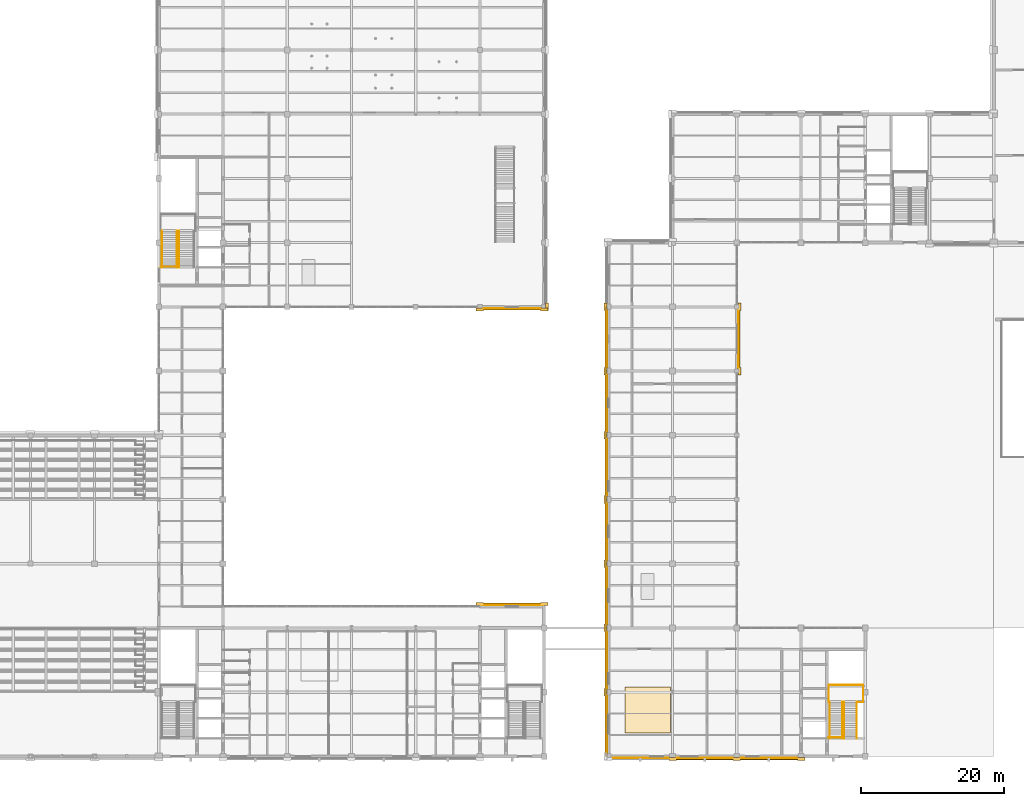
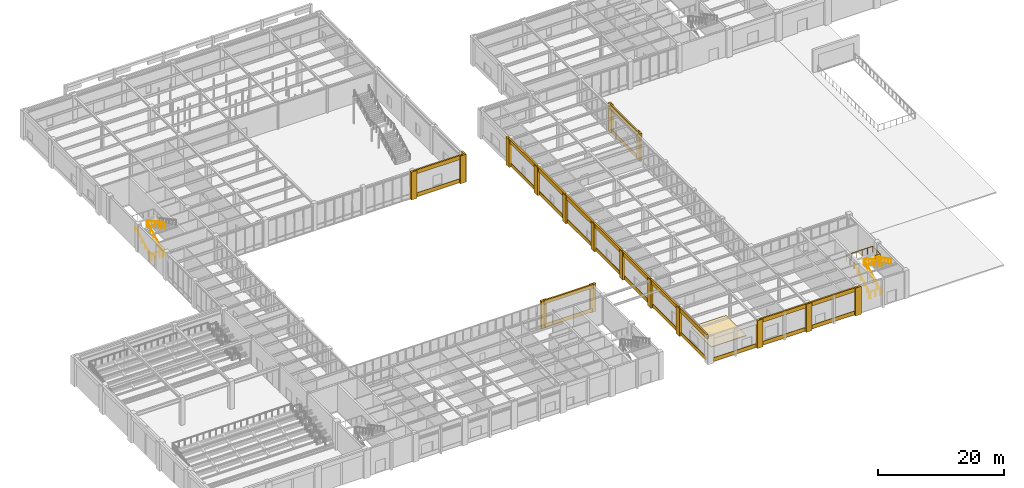
# One storey, part 74 of 77: 43 coverings, 8 railings.
"""IFC4 building model written with IfcOpenShell, lengths in metres."""

from ifc_helpers import new_model, si_unit, direction, frame, origin, origin_2d, place, context, subcontext, project, spatial, rectangle, circle, extrude, material, layer, layer_set, type_object, element, save


model = new_model("IFC4")

# Units and contexts
model_context = context("Model", 3, precision=1e-05, world=origin(), true_north=direction((0.0, 1.0)))
body_context = subcontext(model_context, "Body", "Model", "MODEL_VIEW")
ifc_project = project(units=[si_unit("LENGTHUNIT", "METRE"), si_unit("AREAUNIT", "SQUARE_METRE"), si_unit("VOLUMEUNIT", "CUBIC_METRE"), si_unit("PLANEANGLEUNIT", "RADIAN"), si_unit("MASSUNIT", "GRAM", prefix="KILO")], contexts=[model_context])

# Site, building, storey
site_placement = place(None, origin())
site = spatial("IfcSite", under=ifc_project, at=site_placement, CompositionType="ELEMENT")
building_placement = place(site_placement, origin())
building = spatial("IfcBuilding", under=site, at=building_placement, Name="Lykobir Media Centre", CompositionType="ELEMENT")
storey_placement = place(building_placement, origin())
storey = spatial("IfcBuildingStorey", under=building, at=storey_placement, Name="L00", CompositionType="ELEMENT", Elevation=0.0)

# Coverings
ifc_material_1 = material(Name="Honed Travertine Stone", Category="masonry")
ifc_layer_1 = layer(ifc_material_1, 0.050048828125, Name="Honed Travertine Stone")
ifc_layer_set_1 = layer_set([ifc_layer_1], Name="Honed Travertine Stone")
covering_type_1 = type_object("IfcCoveringType", Name="CLD-TRAV", PredefinedType="CLADDING", material=ifc_layer_set_1)
for number, where, z_axis, x_axis, name in (
    (1, (89.6201171875, 27.0, 0.0), (0.0, 0.0, 1.0), (0.0, -1.0, 0.0), "Travertine column pier 50"),
    (2, (89.6201171875, 18.0, 0.0), (0.0, 0.0, 1.0), (0.0, -1.0, 0.0), "Travertine column pier 51"),
):
    element("IfcCovering", number, at=place(storey_placement, frame(where, z_axis=z_axis, x_axis=x_axis)), inside=storey, type_object=covering_type_1, Name=name, PredefinedType="CLADDING", context=body_context, shape_type="SweptSolid", body=[
        extrude(rectangle(XDim=1.06005859375, YDim=0.39990234375, at=origin_2d()), origin(), (0.0, 0.0, 1.0), 5.39990234375),
    ])
covering_1_placement = place(storey_placement, frame((89.699951171875, 22.5, 4.64013671875), z_axis=(0.0, 0.0, 1.0), x_axis=(0.0, -1.0, 0.0)))
element("IfcCovering", 3, at=covering_1_placement, inside=storey, type_object=covering_type_1, Name="Travertine spandrel stringcourse 52", PredefinedType="CLADDING", context=body_context, shape_type="SweptSolid", body=[
    extrude(rectangle(XDim=9.0, YDim=0.280029296875, at=origin_2d()), origin(), (0.0, 0.0, 1.0), 0.760009765625),
])
covering_2_placement = place(storey_placement, frame((89.76904296875, 22.5, 0.080078125), z_axis=(0.0, 0.0, 1.0), x_axis=(0.0, -1.0, 0.0)))
element("IfcCovering", 4, at=covering_2_placement, inside=storey, type_object=covering_type_1, Name="Facade spandrel apron 53", PredefinedType="CLADDING", context=body_context, shape_type="SweptSolid", body=[
    extrude(rectangle(XDim=7.830078125, YDim=0.110107421875, at=origin_2d()), origin(), (0.0, 0.0, 1.0), 0.719970703125),
])
covering_3_placement = place(storey_placement, frame((89.6201171875, 36.0, 0.0), z_axis=(0.0, 0.0, 1.0), x_axis=(0.0, -1.0, 0.0)))
element("IfcCovering", 5, at=covering_3_placement, inside=storey, type_object=covering_type_1, Name="Travertine column pier 54", PredefinedType="CLADDING", context=body_context, shape_type="SweptSolid", body=[
    extrude(rectangle(XDim=1.06005859375, YDim=0.39990234375, at=origin_2d()), origin(), (0.0, 0.0, 1.0), 5.39990234375),
])
covering_4_placement = place(storey_placement, frame((89.699951171875, 31.5, 4.64013671875), z_axis=(0.0, 0.0, 1.0), x_axis=(0.0, -1.0, 0.0)))
element("IfcCovering", 6, at=covering_4_placement, inside=storey, type_object=covering_type_1, Name="Travertine spandrel stringcourse 55", PredefinedType="CLADDING", context=body_context, shape_type="SweptSolid", body=[
    extrude(rectangle(XDim=9.0, YDim=0.280029296875, at=origin_2d()), origin(), (0.0, 0.0, 1.0), 0.760009765625),
])
covering_5_placement = place(storey_placement, frame((89.76904296875, 31.5, 0.080078125), z_axis=(0.0, 0.0, 1.0), x_axis=(0.0, -1.0, 0.0)))
element("IfcCovering", 7, at=covering_5_placement, inside=storey, type_object=covering_type_1, Name="Facade spandrel apron 56", PredefinedType="CLADDING", context=body_context, shape_type="SweptSolid", body=[
    extrude(rectangle(XDim=7.830078125, YDim=0.110107421875, at=origin_2d()), origin(), (0.0, 0.0, 1.0), 0.719970703125),
])
covering_6_placement = place(storey_placement, frame((89.6201171875, 45.0, 0.0), z_axis=(0.0, 0.0, 1.0), x_axis=(0.0, -1.0, 0.0)))
element("IfcCovering", 8, at=covering_6_placement, inside=storey, type_object=covering_type_1, Name="Travertine column pier 57", PredefinedType="CLADDING", context=body_context, shape_type="SweptSolid", body=[
    extrude(rectangle(XDim=1.06005859375, YDim=0.39990234375, at=origin_2d()), origin(), (0.0, 0.0, 1.0), 5.39990234375),
])
covering_7_placement = place(storey_placement, frame((89.699951171875, 40.5, 4.64013671875), z_axis=(0.0, 0.0, 1.0), x_axis=(0.0, -1.0, 0.0)))
element("IfcCovering", 9, at=covering_7_placement, inside=storey, type_object=covering_type_1, Name="Travertine spandrel stringcourse 58", PredefinedType="CLADDING", context=body_context, shape_type="SweptSolid", body=[
    extrude(rectangle(XDim=9.0, YDim=0.280029296875, at=origin_2d()), origin(), (0.0, 0.0, 1.0), 0.760009765625),
])
covering_8_placement = place(storey_placement, frame((89.76904296875, 40.5, 0.080078125), z_axis=(0.0, 0.0, 1.0), x_axis=(0.0, -1.0, 0.0)))
element("IfcCovering", 10, at=covering_8_placement, inside=storey, type_object=covering_type_1, Name="Facade spandrel apron 59", PredefinedType="CLADDING", context=body_context, shape_type="SweptSolid", body=[
    extrude(rectangle(XDim=7.830078125, YDim=0.110107421875, at=origin_2d()), origin(), (0.0, 0.0, 1.0), 0.719970703125),
])
covering_9_placement = place(storey_placement, frame((89.6201171875, 54.0, 0.0), z_axis=(0.0, 0.0, 1.0), x_axis=(0.0, -1.0, 0.0)))
element("IfcCovering", 11, at=covering_9_placement, inside=storey, type_object=covering_type_1, Name="Travertine column pier 60", PredefinedType="CLADDING", context=body_context, shape_type="SweptSolid", body=[
    extrude(rectangle(XDim=1.06005859375, YDim=0.39990234375, at=origin_2d()), origin(), (0.0, 0.0, 1.0), 5.39990234375),
])
covering_10_placement = place(storey_placement, frame((89.699951171875, 49.5, 4.64013671875), z_axis=(0.0, 0.0, 1.0), x_axis=(0.0, -1.0, 0.0)))
element("IfcCovering", 12, at=covering_10_placement, inside=storey, type_object=covering_type_1, Name="Travertine spandrel stringcourse 61", PredefinedType="CLADDING", context=body_context, shape_type="SweptSolid", body=[
    extrude(rectangle(XDim=9.0, YDim=0.280029296875, at=origin_2d()), origin(), (0.0, 0.0, 1.0), 0.760009765625),
])
covering_11_placement = place(storey_placement, frame((89.76904296875, 49.5, 0.080078125), z_axis=(0.0, 0.0, 1.0), x_axis=(0.0, -1.0, 0.0)))
element("IfcCovering", 13, at=covering_11_placement, inside=storey, type_object=covering_type_1, Name="Facade spandrel apron 62", PredefinedType="CLADDING", context=body_context, shape_type="SweptSolid", body=[
    extrude(rectangle(XDim=7.830078125, YDim=0.110107421875, at=origin_2d()), origin(), (0.0, 0.0, 1.0), 0.719970703125),
])
covering_12_placement = place(storey_placement, frame((89.6201171875, 63.0, 0.0), z_axis=(0.0, 0.0, 1.0), x_axis=(0.0, -1.0, 0.0)))
element("IfcCovering", 14, at=covering_12_placement, inside=storey, type_object=covering_type_1, Name="Travertine column pier 63", PredefinedType="CLADDING", context=body_context, shape_type="SweptSolid", body=[
    extrude(rectangle(XDim=1.06005859375, YDim=0.39990234375, at=origin_2d()), origin(), (0.0, 0.0, 1.0), 5.39990234375),
])
covering_13_placement = place(storey_placement, frame((89.699951171875, 58.5, 4.64013671875), z_axis=(0.0, 0.0, 1.0), x_axis=(0.0, -1.0, 0.0)))
element("IfcCovering", 15, at=covering_13_placement, inside=storey, type_object=covering_type_1, Name="Travertine spandrel stringcourse 64", PredefinedType="CLADDING", context=body_context, shape_type="SweptSolid", body=[
    extrude(rectangle(XDim=9.0, YDim=0.280029296875, at=origin_2d()), origin(), (0.0, 0.0, 1.0), 0.760009765625),
])
covering_14_placement = place(storey_placement, frame((89.76904296875, 58.5, 0.080078125), z_axis=(0.0, 0.0, 1.0), x_axis=(0.0, -1.0, 0.0)))
element("IfcCovering", 16, at=covering_14_placement, inside=storey, type_object=covering_type_1, Name="Facade spandrel apron 65", PredefinedType="CLADDING", context=body_context, shape_type="SweptSolid", body=[
    extrude(rectangle(XDim=7.830078125, YDim=0.110107421875, at=origin_2d()), origin(), (0.0, 0.0, 1.0), 0.719970703125),
])
covering_15_placement = place(storey_placement, frame((89.6201171875, 9.0, 0.0), z_axis=(0.0, 0.0, 1.0), x_axis=(0.0, -1.0, 0.0)))
element("IfcCovering", 17, at=covering_15_placement, inside=storey, type_object=covering_type_1, Name="Travertine column pier 69", PredefinedType="CLADDING", context=body_context, shape_type="SweptSolid", body=[
    extrude(rectangle(XDim=1.06005859375, YDim=0.39990234375, at=origin_2d()), origin(), (0.0, 0.0, 1.0), 5.39990234375),
])
covering_16_placement = place(storey_placement, frame((89.699951171875, 4.5, 4.64013671875), z_axis=(0.0, 0.0, 1.0), x_axis=(0.0, -1.0, 0.0)))
element("IfcCovering", 18, at=covering_16_placement, inside=storey, type_object=covering_type_1, Name="Travertine spandrel stringcourse 71", PredefinedType="CLADDING", context=body_context, shape_type="SweptSolid", body=[
    extrude(rectangle(XDim=9.0, YDim=0.280029296875, at=origin_2d()), origin(), (0.0, 0.0, 1.0), 0.760009765625),
])
covering_17_placement = place(storey_placement, frame((89.76904296875, 4.5, 0.080078125), z_axis=(0.0, 0.0, 1.0), x_axis=(0.0, -1.0, 0.0)))
element("IfcCovering", 19, at=covering_17_placement, inside=storey, type_object=covering_type_1, Name="Facade spandrel apron 72", PredefinedType="CLADDING", context=body_context, shape_type="SweptSolid", body=[
    extrude(rectangle(XDim=7.830078125, YDim=0.110107421875, at=origin_2d()), origin(), (0.0, 0.0, 1.0), 0.719970703125),
])
covering_18_placement = place(storey_placement, frame((89.699951171875, 13.5, 4.64013671875), z_axis=(0.0, 0.0, 1.0), x_axis=(0.0, -1.0, 0.0)))
element("IfcCovering", 20, at=covering_18_placement, inside=storey, type_object=covering_type_1, Name="Travertine spandrel stringcourse 73", PredefinedType="CLADDING", context=body_context, shape_type="SweptSolid", body=[
    extrude(rectangle(XDim=9.0, YDim=0.280029296875, at=origin_2d()), origin(), (0.0, 0.0, 1.0), 0.760009765625),
])
covering_19_placement = place(storey_placement, frame((89.76904296875, 13.5, 0.080078125), z_axis=(0.0, 0.0, 1.0), x_axis=(0.0, -1.0, 0.0)))
element("IfcCovering", 21, at=covering_19_placement, inside=storey, type_object=covering_type_1, Name="Facade spandrel apron 74", PredefinedType="CLADDING", context=body_context, shape_type="SweptSolid", body=[
    extrude(rectangle(XDim=7.830078125, YDim=0.110107421875, at=origin_2d()), origin(), (0.0, 0.0, 1.0), 0.719970703125),
])
covering_20_placement = place(storey_placement, frame((99.0, -0.3798828125, 0.0), z_axis=(0.0, 0.0, 1.0), x_axis=(1.0, 0.0, 0.0)))
element("IfcCovering", 22, at=covering_20_placement, inside=storey, type_object=covering_type_1, Name="Travertine column pier 76", PredefinedType="CLADDING", context=body_context, shape_type="SweptSolid", body=[
    extrude(rectangle(XDim=1.06005859375, YDim=0.39990234375, at=origin_2d()), origin(), (0.0, 0.0, 1.0), 5.39990234375),
])
covering_21_placement = place(storey_placement, frame((94.5, -0.23095703125, 0.080078125), z_axis=(0.0, 0.0, 1.0), x_axis=(1.0, 0.0, 0.0)))
element("IfcCovering", 23, at=covering_21_placement, inside=storey, type_object=covering_type_1, Name="Facade spandrel apron 78", PredefinedType="CLADDING", context=body_context, shape_type="SweptSolid", body=[
    extrude(rectangle(XDim=7.830078125, YDim=0.110107421875, at=origin_2d()), origin(), (0.0, 0.0, 1.0), 0.719970703125),
])
covering_22_placement = place(storey_placement, frame((108.0, -0.3798828125, 0.0), z_axis=(0.0, 0.0, 1.0), x_axis=(1.0, 0.0, 0.0)))
element("IfcCovering", 24, at=covering_22_placement, inside=storey, type_object=covering_type_1, Name="Travertine column pier 79", PredefinedType="CLADDING", context=body_context, shape_type="SweptSolid", body=[
    extrude(rectangle(XDim=1.06005859375, YDim=0.39990234375, at=origin_2d()), origin(), (0.0, 0.0, 1.0), 5.39990234375),
])
covering_23_placement = place(storey_placement, frame((103.5, -0.300048828125, 4.64013671875), z_axis=(0.0, 0.0, 1.0), x_axis=(1.0, 0.0, 0.0)))
element("IfcCovering", 25, at=covering_23_placement, inside=storey, type_object=covering_type_1, Name="Travertine spandrel stringcourse 80", PredefinedType="CLADDING", context=body_context, shape_type="SweptSolid", body=[
    extrude(rectangle(XDim=9.0, YDim=0.280029296875, at=origin_2d()), origin(), (0.0, 0.0, 1.0), 0.760009765625),
])
covering_24_placement = place(storey_placement, frame((103.5, -0.23095703125, 0.080078125), z_axis=(0.0, 0.0, 1.0), x_axis=(1.0, 0.0, 0.0)))
element("IfcCovering", 26, at=covering_24_placement, inside=storey, type_object=covering_type_1, Name="Facade spandrel apron 81", PredefinedType="CLADDING", context=body_context, shape_type="SweptSolid", body=[
    extrude(rectangle(XDim=7.830078125, YDim=0.110107421875, at=origin_2d()), origin(), (0.0, 0.0, 1.0), 0.719970703125),
])
covering_25_placement = place(storey_placement, frame((117.0, -0.3798828125, 0.0), z_axis=(0.0, 0.0, 1.0), x_axis=(1.0, 0.0, 0.0)))
element("IfcCovering", 27, at=covering_25_placement, inside=storey, type_object=covering_type_1, Name="Travertine column pier 82", PredefinedType="CLADDING", context=body_context, shape_type="SweptSolid", body=[
    extrude(rectangle(XDim=1.06005859375, YDim=0.39990234375, at=origin_2d()), origin(), (0.0, 0.0, 1.0), 5.39990234375),
])
covering_26_placement = place(storey_placement, frame((112.5, -0.300048828125, 4.64013671875), z_axis=(0.0, 0.0, 1.0), x_axis=(1.0, 0.0, 0.0)))
element("IfcCovering", 28, at=covering_26_placement, inside=storey, type_object=covering_type_1, Name="Travertine spandrel stringcourse 83", PredefinedType="CLADDING", context=body_context, shape_type="SweptSolid", body=[
    extrude(rectangle(XDim=9.0, YDim=0.280029296875, at=origin_2d()), origin(), (0.0, 0.0, 1.0), 0.760009765625),
])
covering_27_placement = place(storey_placement, frame((112.5, -0.23095703125, 0.080078125), z_axis=(0.0, 0.0, 1.0), x_axis=(1.0, 0.0, 0.0)))
element("IfcCovering", 29, at=covering_27_placement, inside=storey, type_object=covering_type_1, Name="Facade spandrel apron 84", PredefinedType="CLADDING", context=body_context, shape_type="SweptSolid", body=[
    extrude(rectangle(XDim=7.830078125, YDim=0.110107421875, at=origin_2d()), origin(), (0.0, 0.0, 1.0), 0.719970703125),
])
for number, where, z_axis, x_axis, name in (
    (30, (108.3798828125, 54.0, 0.0), (0.0, 0.0, 1.0), (0.0, 1.0, 0.0), "Travertine column pier 85"),
    (31, (108.3798828125, 63.0, 0.0), (0.0, 0.0, 1.0), (0.0, 1.0, 0.0), "Travertine column pier 86"),
):
    element("IfcCovering", number, at=place(storey_placement, frame(where, z_axis=z_axis, x_axis=x_axis)), inside=storey, type_object=covering_type_1, Name=name, PredefinedType="CLADDING", context=body_context, shape_type="SweptSolid", body=[
        extrude(rectangle(XDim=1.06005859375, YDim=0.39990234375, at=origin_2d()), origin(), (0.0, 0.0, 1.0), 5.39990234375),
    ])
covering_28_placement = place(storey_placement, frame((108.300048828125, 58.5, 4.64013671875), z_axis=(0.0, 0.0, 1.0), x_axis=(0.0, 1.0, 0.0)))
element("IfcCovering", 32, at=covering_28_placement, inside=storey, type_object=covering_type_1, Name="Travertine spandrel stringcourse 87", PredefinedType="CLADDING", context=body_context, shape_type="SweptSolid", body=[
    extrude(rectangle(XDim=9.0, YDim=0.280029296875, at=origin_2d()), origin(), (0.0, 0.0, 1.0), 0.760009765625),
])
covering_29_placement = place(storey_placement, frame((108.23095703125, 58.5, 0.080078125), z_axis=(0.0, 0.0, 1.0), x_axis=(0.0, 1.0, 0.0)))
element("IfcCovering", 33, at=covering_29_placement, inside=storey, type_object=covering_type_1, Name="Facade spandrel apron 88", PredefinedType="CLADDING", context=body_context, shape_type="SweptSolid", body=[
    extrude(rectangle(XDim=8.030029296875, YDim=0.110107421875, at=origin_2d()), origin(), (0.0, 0.0, 1.0), 0.719970703125),
])
for number, where, z_axis, x_axis, name in (
    (34, (81.0, 21.3798828125, 0.0), (0.0, 0.0, 1.0), (-1.0, 0.0, 0.0), "Travertine column pier 92"),
    (35, (72.0, 21.3798828125, 0.0), (0.0, 0.0, 1.0), (-1.0, 0.0, 0.0), "Travertine column pier 93"),
):
    element("IfcCovering", number, at=place(storey_placement, frame(where, z_axis=z_axis, x_axis=x_axis)), inside=storey, type_object=covering_type_1, Name=name, PredefinedType="CLADDING", context=body_context, shape_type="SweptSolid", body=[
        extrude(rectangle(XDim=1.06005859375, YDim=0.39990234375, at=origin_2d()), origin(), (0.0, 0.0, 1.0), 5.39990234375),
    ])
covering_30_placement = place(storey_placement, frame((76.5, 21.300048828125, 4.64013671875), z_axis=(0.0, 0.0, 1.0), x_axis=(-1.0, 0.0, 0.0)))
element("IfcCovering", 36, at=covering_30_placement, inside=storey, type_object=covering_type_1, Name="Travertine spandrel stringcourse 94", PredefinedType="CLADDING", context=body_context, shape_type="SweptSolid", body=[
    extrude(rectangle(XDim=9.0, YDim=0.280029296875, at=origin_2d()), origin(), (0.0, 0.0, 1.0), 0.760009765625),
])
covering_31_placement = place(storey_placement, frame((76.5, 21.23095703125, 0.080078125), z_axis=(0.0, 0.0, 1.0), x_axis=(-1.0, 0.0, 0.0)))
element("IfcCovering", 37, at=covering_31_placement, inside=storey, type_object=covering_type_1, Name="Facade spandrel apron 95", PredefinedType="CLADDING", context=body_context, shape_type="SweptSolid", body=[
    extrude(rectangle(XDim=8.75, YDim=0.110107421875, at=origin_2d()), origin(), (0.0, 0.0, 1.0), 0.719970703125),
])
for number, where, z_axis, x_axis, name in (
    (38, (72.0, 62.6201171875, 0.0), (0.0, 0.0, 1.0), (1.0, 0.0, 0.0), "Travertine column pier 96"),
    (39, (81.0, 62.6201171875, 0.0), (0.0, 0.0, 1.0), (1.0, 0.0, 0.0), "Travertine column pier 97"),
):
    element("IfcCovering", number, at=place(storey_placement, frame(where, z_axis=z_axis, x_axis=x_axis)), inside=storey, type_object=covering_type_1, Name=name, PredefinedType="CLADDING", context=body_context, shape_type="SweptSolid", body=[
        extrude(rectangle(XDim=1.06005859375, YDim=0.39990234375, at=origin_2d()), origin(), (0.0, 0.0, 1.0), 5.39990234375),
    ])
covering_32_placement = place(storey_placement, frame((76.5, 62.699951171875, 4.64013671875), z_axis=(0.0, 0.0, 1.0), x_axis=(1.0, 0.0, 0.0)))
element("IfcCovering", 40, at=covering_32_placement, inside=storey, type_object=covering_type_1, Name="Travertine spandrel stringcourse 98", PredefinedType="CLADDING", context=body_context, shape_type="SweptSolid", body=[
    extrude(rectangle(XDim=9.0, YDim=0.280029296875, at=origin_2d()), origin(), (0.0, 0.0, 1.0), 0.760009765625),
])
covering_33_placement = place(storey_placement, frame((76.5, 62.76904296875, 0.080078125), z_axis=(0.0, 0.0, 1.0), x_axis=(1.0, 0.0, 0.0)))
element("IfcCovering", 41, at=covering_33_placement, inside=storey, type_object=covering_type_1, Name="Facade spandrel apron 99", PredefinedType="CLADDING", context=body_context, shape_type="SweptSolid", body=[
    extrude(rectangle(XDim=7.929931640625, YDim=0.110107421875, at=origin_2d()), origin(), (0.0, 0.0, 1.0), 0.719970703125),
])
covering_34_placement = place(storey_placement, frame((81.3798828125, 63.0, 0.0), z_axis=(0.0, 0.0, 1.0), x_axis=(0.0, 1.0, 0.0)))
element("IfcCovering", 42, at=covering_34_placement, inside=storey, type_object=covering_type_1, Name="Travertine column pier 100", PredefinedType="CLADDING", context=body_context, shape_type="SweptSolid", body=[
    extrude(rectangle(XDim=1.06005859375, YDim=0.39990234375, at=origin_2d()), origin(), (0.0, 0.0, 1.0), 5.39990234375),
])
ifc_material_2 = material(Name="Acoustic Timber Panelling", Category="wood")
ifc_layer_2 = layer(ifc_material_2, 0.14990234375, Name="Acoustic Timber Panelling")
ifc_layer_set_2 = layer_set([ifc_layer_2], Name="Acoustic Timber Panelling")
covering_type_2 = type_object("IfcCoveringType", Name="COV-FLR-150", PredefinedType="FLOORING", material=ifc_layer_set_2)
covering_35_placement = place(storey_placement, frame((95.5, 6.5, 0.0), z_axis=(0.0, 0.0, 1.0), x_axis=(1.0, 0.0, 0.0)))
element("IfcCovering", 43, at=covering_35_placement, inside=storey, type_object=covering_type_2, Name="L00 floating studio acoustic floor 1", PredefinedType="FLOORING", context=body_context, shape_type="SweptSolid", body=[
    extrude(rectangle(XDim=6.39990234375, YDim=6.39990234375, at=origin_2d()), origin(), (0.0, 0.0, 1.0), 0.14990234375),
])

# Railings
ifc_material_3 = material(Name="Steel S355", Category="steel")
railing_type_1 = type_object("IfcRailingType", Name="GR-1200", PredefinedType="BALUSTRADE", material=ifc_material_3)
railing_1_placement = place(storey_placement, frame((27.27001953125, 68.6298828125, 0.0)))
element("IfcRailing", 44, at=railing_1_placement, inside=storey, type_object=railing_type_1, Name="ST-3 L00 arrival well guard", PredefinedType="BALUSTRADE", context=body_context, shape_type="SweptSolid", body=[
    extrude(circle(Radius=0.02392578125, at=origin_2d()), frame((0.0, 0.0, 1.17578125), z_axis=(1.0, 0.0, 0.0), x_axis=(0.0, 1.0, 0.0)), (0.0, 0.0, 1.0), 2.5400390625),
    extrude(circle(Radius=0.02099609375, at=origin_2d()), origin(), (0.0, 0.0, 1.0), 1.15185546875),
    extrude(circle(Radius=0.02099609375, at=origin_2d()), frame((0.8466796875, 0.0, 0.0)), (0.0, 0.0, 1.0), 1.15185546875),
    extrude(circle(Radius=0.02099609375, at=origin_2d()), frame((1.693359375, 0.0, 0.0)), (0.0, 0.0, 1.0), 1.15185546875),
    extrude(circle(Radius=0.02099609375, at=origin_2d()), frame((2.5400390625, 0.0, 0.0)), (0.0, 0.0, 1.0), 1.15185546875),
])
railing_2_placement = place(storey_placement, frame((29.530029296875, 68.530029296875, 0.0)))
element("IfcRailing", 45, at=railing_2_placement, inside=storey, type_object=railing_type_1, Name="ST-3 L00 inner well and slot guard", PredefinedType="BALUSTRADE", context=body_context, shape_type="SweptSolid", body=[
    extrude(circle(Radius=0.02392578125, at=origin_2d()), frame((0.0, 0.0, 1.17578125), z_axis=(0.0, 0.883785858079, 0.467891608238), x_axis=(-1.0, 0.0, 0.0)), (0.0, 0.0, 1.0), 5.7705078125),
    extrude(circle(Radius=0.02392578125, at=origin_2d()), frame((0.0, 5.099853515625, 3.8759765625), z_axis=(1.0, 0.0, 0.0), x_axis=(0.0, 1.0, 0.0)), (0.0, 0.0, 1.0), 0.280029296875),
    extrude(circle(Radius=0.02392578125, at=origin_2d()), frame((0.280029296875, 5.099853515625, 3.8759765625), z_axis=(0.0, -0.883785858079, 0.467891608238), x_axis=(1.0, 0.0, 0.0)), (0.0, 0.0, 1.0), 5.7705078125),
    extrude(circle(Radius=0.02099609375, at=origin_2d()), origin(), (0.0, 0.0, 1.0), 1.15185546875),
    extrude(circle(Radius=0.02099609375, at=origin_2d()), frame((0.0, 1.02001953125, 0.5400390625)), (0.0, 0.0, 1.0), 1.15185546875),
    extrude(circle(Radius=0.02099609375, at=origin_2d()), frame((0.0, 2.0400390625, 1.080078125)), (0.0, 0.0, 1.0), 1.15185546875),
    extrude(circle(Radius=0.02099609375, at=origin_2d()), frame((0.0, 3.059814453125, 1.619873046875)), (0.0, 0.0, 1.0), 1.15185546875),
    extrude(circle(Radius=0.02099609375, at=origin_2d()), frame((0.0, 4.079833984375, 2.159912109375)), (0.0, 0.0, 1.0), 1.15185546875),
    extrude(circle(Radius=0.02099609375, at=origin_2d()), frame((0.0, 5.099853515625, 2.699951171875)), (0.0, 0.0, 1.0), 1.15185546875),
    extrude(circle(Radius=0.02099609375, at=origin_2d()), frame((0.280029296875, 5.099853515625, 2.699951171875)), (0.0, 0.0, 1.0), 1.15185546875),
    extrude(circle(Radius=0.02099609375, at=origin_2d()), frame((0.280029296875, 4.079833984375, 3.239990234375)), (0.0, 0.0, 1.0), 1.15185546875),
    extrude(circle(Radius=0.02099609375, at=origin_2d()), frame((0.280029296875, 3.059814453125, 3.780029296875)), (0.0, 0.0, 1.0), 1.15185546875),
    extrude(circle(Radius=0.02099609375, at=origin_2d()), frame((0.280029296875, 2.0400390625, 4.31982421875)), (0.0, 0.0, 1.0), 1.15185546875),
    extrude(circle(Radius=0.02099609375, at=origin_2d()), frame((0.280029296875, 1.02001953125, 4.85986328125)), (0.0, 0.0, 1.0), 1.15185546875),
    extrude(circle(Radius=0.02099609375, at=origin_2d()), frame((0.280029296875, 0.0, 5.39990234375)), (0.0, 0.0, 1.0), 1.15185546875),
])
railing_3_placement = place(storey_placement, frame((120.8701171875, 2.6298828125, 0.0)))
element("IfcRailing", 46, at=railing_3_placement, inside=storey, type_object=railing_type_1, Name="ST-5 L00 arrival well guard", PredefinedType="BALUSTRADE", context=body_context, shape_type="SweptSolid", body=[
    extrude(circle(Radius=0.02392578125, at=origin_2d()), frame((0.0, 0.0, 1.17578125), z_axis=(1.0, 0.0, 0.0), x_axis=(0.0, 1.0, 0.0)), (0.0, 0.0, 1.0), 2.18994140625),
    extrude(circle(Radius=0.02099609375, at=origin_2d()), origin(), (0.0, 0.0, 1.0), 1.15185546875),
    extrude(circle(Radius=0.02099609375, at=origin_2d()), frame((1.094970703125, 0.0, 0.0)), (0.0, 0.0, 1.0), 1.15185546875),
    extrude(circle(Radius=0.02099609375, at=origin_2d()), frame((2.18994140625, 0.0, 0.0)), (0.0, 0.0, 1.0), 1.15185546875),
])
railing_4_placement = place(storey_placement, frame((122.780029296875, 2.530029296875, 0.0)))
element("IfcRailing", 47, at=railing_4_placement, inside=storey, type_object=railing_type_1, Name="ST-5 L00 inner well and slot guard", PredefinedType="BALUSTRADE", context=body_context, shape_type="SweptSolid", body=[
    extrude(circle(Radius=0.02392578125, at=origin_2d()), frame((0.0, 0.0, 1.17578125), z_axis=(0.0, 0.883785858079, 0.467891608238), x_axis=(-1.0, 0.0, 0.0)), (0.0, 0.0, 1.0), 5.7705078125),
    extrude(circle(Radius=0.02392578125, at=origin_2d()), frame((0.0, 5.099853515625, 3.8759765625), z_axis=(1.0, 0.0, 0.0), x_axis=(0.0, 1.0, 0.0)), (0.0, 0.0, 1.0), 0.280029296875),
    extrude(circle(Radius=0.02392578125, at=origin_2d()), frame((0.280029296875, 5.099853515625, 3.8759765625), z_axis=(0.0, -0.883785858079, 0.467891608238), x_axis=(1.0, 0.0, 0.0)), (0.0, 0.0, 1.0), 5.7705078125),
    extrude(circle(Radius=0.02099609375, at=origin_2d()), origin(), (0.0, 0.0, 1.0), 1.15185546875),
    extrude(circle(Radius=0.02099609375, at=origin_2d()), frame((0.0, 1.02001953125, 0.5400390625)), (0.0, 0.0, 1.0), 1.15185546875),
    extrude(circle(Radius=0.02099609375, at=origin_2d()), frame((0.0, 2.0400390625, 1.080078125)), (0.0, 0.0, 1.0), 1.15185546875),
    extrude(circle(Radius=0.02099609375, at=origin_2d()), frame((0.0, 3.059814453125, 1.619873046875)), (0.0, 0.0, 1.0), 1.15185546875),
    extrude(circle(Radius=0.02099609375, at=origin_2d()), frame((0.0, 4.079833984375, 2.159912109375)), (0.0, 0.0, 1.0), 1.15185546875),
    extrude(circle(Radius=0.02099609375, at=origin_2d()), frame((0.0, 5.099853515625, 2.699951171875)), (0.0, 0.0, 1.0), 1.15185546875),
    extrude(circle(Radius=0.02099609375, at=origin_2d()), frame((0.280029296875, 5.099853515625, 2.699951171875)), (0.0, 0.0, 1.0), 1.15185546875),
    extrude(circle(Radius=0.02099609375, at=origin_2d()), frame((0.280029296875, 4.079833984375, 3.239990234375)), (0.0, 0.0, 1.0), 1.15185546875),
    extrude(circle(Radius=0.02099609375, at=origin_2d()), frame((0.280029296875, 3.059814453125, 3.780029296875)), (0.0, 0.0, 1.0), 1.15185546875),
    extrude(circle(Radius=0.02099609375, at=origin_2d()), frame((0.280029296875, 2.0400390625, 4.31982421875)), (0.0, 0.0, 1.0), 1.15185546875),
    extrude(circle(Radius=0.02099609375, at=origin_2d()), frame((0.280029296875, 1.02001953125, 4.85986328125)), (0.0, 0.0, 1.0), 1.15185546875),
    extrude(circle(Radius=0.02099609375, at=origin_2d()), frame((0.280029296875, 0.0, 5.39990234375)), (0.0, 0.0, 1.0), 1.15185546875),
])
railing_5_placement = place(storey_placement, frame((120.989990234375, 7.590087890625, 2.699951171875)))
element("IfcRailing", 48, at=railing_5_placement, inside=storey, type_object=railing_type_1, Name="ST-5 L00 half-landing perimeter guard", PredefinedType="BALUSTRADE", context=body_context, shape_type="SweptSolid", body=[
    extrude(circle(Radius=0.02392578125, at=origin_2d()), frame((0.0, 0.0, 1.17578125), z_axis=(-1.0, 0.0, 0.0), x_axis=(0.0, -1.0, 0.0)), (0.0, 0.0, 1.0), 0.110107421875),
    extrude(circle(Radius=0.02392578125, at=origin_2d()), frame((-0.110107421875, 0.0, 1.17578125), z_axis=(0.0, 1.0, 0.0), x_axis=(-1.0, 0.0, 0.0)), (0.0, 0.0, 1.0), 2.39990234375),
    extrude(circle(Radius=0.02392578125, at=origin_2d()), frame((-0.110107421875, 2.39990234375, 1.17578125), z_axis=(1.0, 0.0, 0.0), x_axis=(0.0, 1.0, 0.0)), (0.0, 0.0, 1.0), 4.840087890625),
    extrude(circle(Radius=0.02392578125, at=origin_2d()), frame((4.72998046875, 2.39990234375, 1.17578125), z_axis=(0.0, -1.0, 0.0), x_axis=(1.0, 0.0, 0.0)), (0.0, 0.0, 1.0), 2.39990234375),
    extrude(circle(Radius=0.02392578125, at=origin_2d()), frame((4.72998046875, 0.0, 1.17578125), z_axis=(-1.0, 0.0, 0.0), x_axis=(0.0, -1.0, 0.0)), (0.0, 0.0, 1.0), 0.869873046875),
    extrude(circle(Radius=0.02099609375, at=origin_2d()), origin(), (0.0, 0.0, 1.0), 1.15185546875),
    extrude(circle(Radius=0.02099609375, at=origin_2d()), frame((-0.110107421875, 0.0, 0.0)), (0.0, 0.0, 1.0), 1.15185546875),
    extrude(circle(Radius=0.02099609375, at=origin_2d()), frame((-0.110107421875, 1.199951171875, 0.0)), (0.0, 0.0, 1.0), 1.15185546875),
    extrude(circle(Radius=0.02099609375, at=origin_2d()), frame((-0.110107421875, 2.39990234375, 0.0)), (0.0, 0.0, 1.0), 1.15185546875),
    extrude(circle(Radius=0.02099609375, at=origin_2d()), frame((0.85791015625, 2.39990234375, 0.0)), (0.0, 0.0, 1.0), 1.15185546875),
    extrude(circle(Radius=0.02099609375, at=origin_2d()), frame((1.825927734375, 2.39990234375, 0.0)), (0.0, 0.0, 1.0), 1.15185546875),
    extrude(circle(Radius=0.02099609375, at=origin_2d()), frame((2.7939453125, 2.39990234375, 0.0)), (0.0, 0.0, 1.0), 1.15185546875),
    extrude(circle(Radius=0.02099609375, at=origin_2d()), frame((3.761962890625, 2.39990234375, 0.0)), (0.0, 0.0, 1.0), 1.15185546875),
    extrude(circle(Radius=0.02099609375, at=origin_2d()), frame((4.72998046875, 2.39990234375, 0.0)), (0.0, 0.0, 1.0), 1.15185546875),
    extrude(circle(Radius=0.02099609375, at=origin_2d()), frame((4.72998046875, 1.199951171875, 0.0)), (0.0, 0.0, 1.0), 1.15185546875),
    extrude(circle(Radius=0.02099609375, at=origin_2d()), frame((4.72998046875, 0.0, 0.0)), (0.0, 0.0, 1.0), 1.15185546875),
    extrude(circle(Radius=0.02099609375, at=origin_2d()), frame((3.860107421875, 0.0, 0.0)), (0.0, 0.0, 1.0), 1.15185546875),
])
railing_type_2 = type_object("IfcRailingType", Name="HR-0900", PredefinedType="HANDRAIL", material=ifc_material_3)
for number, where, name in (
    (49, (27.429931640625, 68.530029296875, 0.0), "ST-3 L00 F1 wall handrail"),
    (50, (121.030029296875, 2.530029296875, 0.0), "ST-5 L00 F1 wall handrail"),
):
    element("IfcRailing", number, at=place(storey_placement, frame(where)), inside=storey, type_object=railing_type_2, Name=name, PredefinedType="HANDRAIL", context=body_context, shape_type="SweptSolid", body=[
        extrude(circle(Radius=0.02392578125, at=origin_2d()), frame((0.0, 0.0, 0.8759765625), z_axis=(0.0, 0.883785858079, 0.467891608238), x_axis=(-1.0, 0.0, 0.0)), (0.0, 0.0, 1.0), 5.7705078125),
        extrude(circle(Radius=0.02099609375, at=origin_2d()), origin(), (0.0, 0.0, 1.0), 0.851806640625),
        extrude(circle(Radius=0.02099609375, at=origin_2d()), frame((0.0, 1.02001953125, 0.5400390625)), (0.0, 0.0, 1.0), 0.851806640625),
        extrude(circle(Radius=0.02099609375, at=origin_2d()), frame((0.0, 2.0400390625, 1.080078125)), (0.0, 0.0, 1.0), 0.851806640625),
        extrude(circle(Radius=0.02099609375, at=origin_2d()), frame((0.0, 3.059814453125, 1.619873046875)), (0.0, 0.0, 1.0), 0.851806640625),
        extrude(circle(Radius=0.02099609375, at=origin_2d()), frame((0.0, 4.079833984375, 2.159912109375)), (0.0, 0.0, 1.0), 0.851806640625),
        extrude(circle(Radius=0.02099609375, at=origin_2d()), frame((0.0, 5.099853515625, 2.699951171875)), (0.0, 0.0, 1.0), 0.851806640625),
    ])
railing_6_placement = place(storey_placement, frame((124.81005859375, 7.6298828125, 2.699951171875)))
element("IfcRailing", 51, at=railing_6_placement, inside=storey, type_object=railing_type_2, Name="ST-5 L00 F2 wall handrail", PredefinedType="HANDRAIL", context=body_context, shape_type="SweptSolid", body=[
    extrude(circle(Radius=0.02392578125, at=origin_2d()), frame((0.0, 0.0, 0.8759765625), z_axis=(0.0, -0.883785858079, 0.467891608238), x_axis=(1.0, 0.0, 0.0)), (0.0, 0.0, 1.0), 5.7705078125),
    extrude(circle(Radius=0.02099609375, at=origin_2d()), origin(), (0.0, 0.0, 1.0), 0.851806640625),
    extrude(circle(Radius=0.02099609375, at=origin_2d()), frame((0.0, -1.02001953125, 0.5400390625)), (0.0, 0.0, 1.0), 0.851806640625),
    extrude(circle(Radius=0.02099609375, at=origin_2d()), frame((0.0, -2.0400390625, 1.080078125)), (0.0, 0.0, 1.0), 0.851806640625),
    extrude(circle(Radius=0.02099609375, at=origin_2d()), frame((0.0, -3.059814453125, 1.619873046875)), (0.0, 0.0, 1.0), 0.851806640625),
    extrude(circle(Radius=0.02099609375, at=origin_2d()), frame((0.0, -4.079833984375, 2.159912109375)), (0.0, 0.0, 1.0), 0.851806640625),
    extrude(circle(Radius=0.02099609375, at=origin_2d()), frame((0.0, -5.099853515625, 2.699951171875)), (0.0, 0.0, 1.0), 0.851806640625),
])

save(model, "model.ifc")
